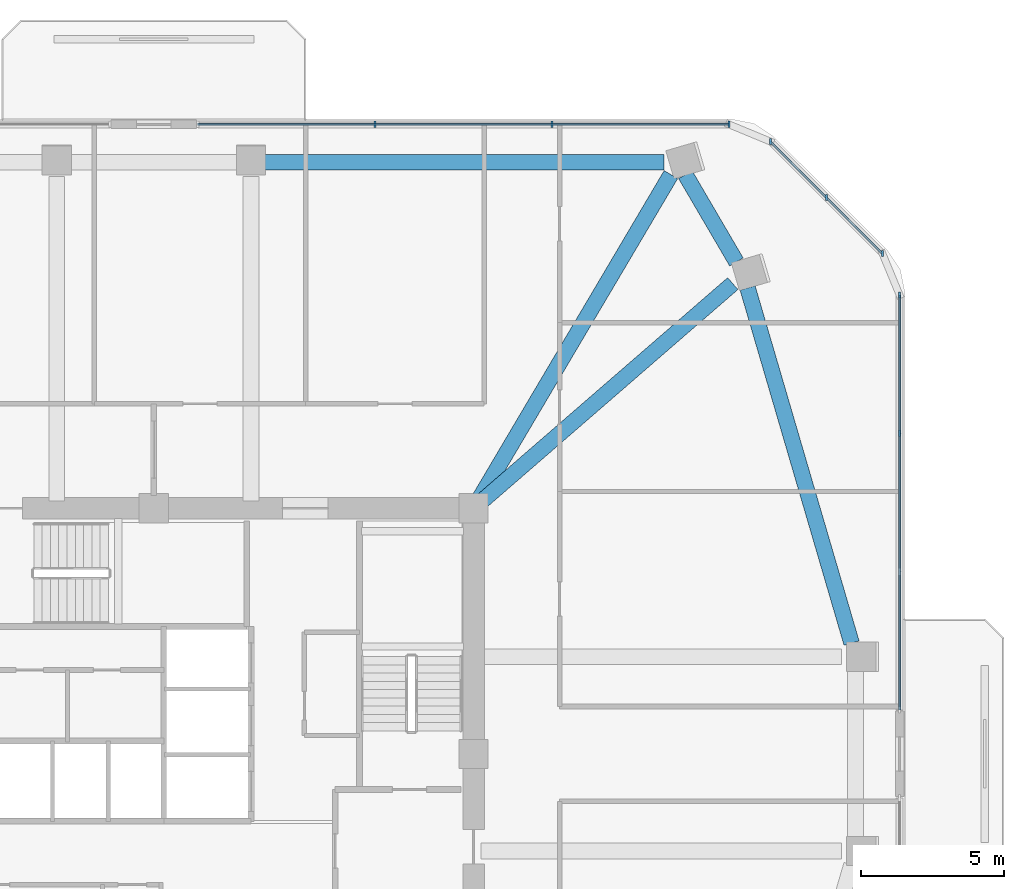
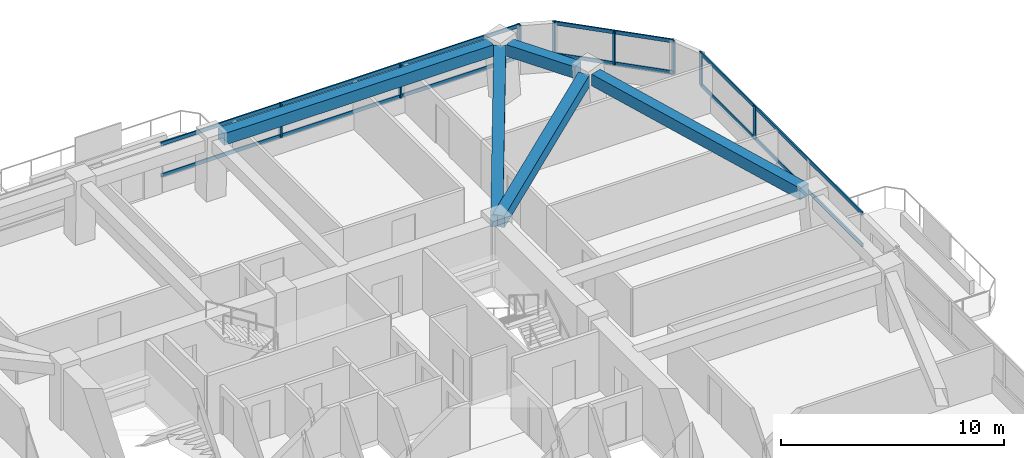
# One storey, part 7 of 14: 14 members, 5 beams, 3 elements without a shape of their own.
"""IFC4 building model written with IfcOpenShell, lengths in metres."""

from ifc_helpers import new_model, si_unit, derived_unit, direction, frame, origin, origin_2d, place, context, subcontext, project, spatial, rectangle, extrude, material, material_profile, profile_set, type_object, element, aggregate, save


model = new_model("IFC4")

# Units and contexts
model_context = context("Model", 3, precision=1e-05, world=origin(), true_north=direction((0.0, 1.0)))
body_context = subcontext(model_context, "Body", "Model", "MODEL_VIEW")
ifc_project = project(units=[si_unit("LENGTHUNIT", "METRE"), si_unit("AREAUNIT", "SQUARE_METRE"), si_unit("VOLUMEUNIT", "CUBIC_METRE"), si_unit("PLANEANGLEUNIT", "RADIAN"), si_unit("MASSUNIT", "GRAM", prefix="KILO"), derived_unit("THERMALTRANSMITTANCEUNIT", [(si_unit("POWERUNIT", "WATT"), 1), (si_unit("LENGTHUNIT", "METRE"), -2), (si_unit("THERMODYNAMICTEMPERATUREUNIT", "KELVIN"), -1)])], contexts=[model_context])

# Site, building, storey
site_placement = place(None, origin())
site = spatial("IfcSite", under=ifc_project, at=site_placement, CompositionType="ELEMENT")
building_placement = place(site_placement, origin())
building = spatial("IfcBuilding", under=site, at=building_placement, Name="Koralith Skygarden Medical Center", CompositionType="ELEMENT")
storey_placement = place(building_placement, frame((0.0, 0.0, 95.580078125)))
storey = spatial("IfcBuildingStorey", under=building, at=storey_placement, Name="L24", CompositionType="ELEMENT", Elevation=95.580078125)

# Curtain wall, members
ifc_material_1 = material(Name="Clear Laminated Glass", Category="glass")
curtain_wall_type = type_object("IfcCurtainWallType", Name="CW-3 Zone 2 Faceted Solar Curtain Wall", PredefinedType="NOTDEFINED", material=ifc_material_1)
curtain_wall_1_placement = place(storey_placement, origin())
curtain_wall_1 = element("IfcCurtainWall", 1, at=curtain_wall_1_placement, inside=storey, type_object=curtain_wall_type, Name="Curtain Wall CW-L24-E-R", PredefinedType="NOTDEFINED")
ifc_material_2 = material(Name="Aluminium 6063-T6", Category="aluminium")
ifc_material_profile_1 = material_profile(ifc_material_2, rectangle(XDim=0.073974609375, YDim=0.219970703125, at=origin_2d()), Name="MUL74X220")
ifc_profile_set_1 = profile_set([ifc_material_profile_1], Name="Aluminium 6063-T6")
member_type_1 = type_object("IfcMemberType", Name="CW-3 Extruded Mullion 74x220", PredefinedType="MULLION", material=ifc_profile_set_1)
member_1_placement = place(storey_placement, frame((63.114990234375, 37.125, 0.849853515625), z_axis=(0.0, 0.0, 1.0), x_axis=(1.0, 0.0, 0.0)))
member_1 = element("IfcMember", 2, at=member_1_placement, type_object=member_type_1, Name="CW-L24-E-R Mullion 3", PredefinedType="MULLION", context=body_context, shape_type="SweptSolid", body=[
    extrude(rectangle(XDim=0.073974609375, YDim=0.219970703125, at=origin_2d()), origin(), (0.0, 0.0, 1.0), 1.820068359375),
])
member_2_placement = place(storey_placement, frame((63.114990234375, 41.968017578125, 0.849853515625), z_axis=(0.0, 0.0, 1.0), x_axis=(1.0, 0.0, 0.0)))
member_2 = element("IfcMember", 3, at=member_2_placement, type_object=member_type_1, Name="CW-L24-E-R Mullion 4", PredefinedType="MULLION", context=body_context, shape_type="SweptSolid", body=[
    extrude(rectangle(XDim=0.073974609375, YDim=0.219970703125, at=origin_2d()), origin(), (0.0, 0.0, 1.0), 1.820068359375),
])

curtain_wall_2_placement = place(storey_placement, origin())
curtain_wall_2 = element("IfcCurtainWall", 4, at=curtain_wall_2_placement, inside=storey, type_object=curtain_wall_type, Name="Curtain Wall CW-L24-NE", PredefinedType="NOTDEFINED")
member_3_placement = place(storey_placement, frame((62.513916015625, 43.4189453125, 0.849853515625), z_axis=(0.0, 0.0, 1.0), x_axis=(1.0, 0.0, 0.0)))
member_3 = element("IfcMember", 5, at=member_3_placement, type_object=member_type_1, Name="CW-L24-NE Mullion 1", PredefinedType="MULLION", context=body_context, shape_type="SweptSolid", body=[
    extrude(rectangle(XDim=0.073974609375, YDim=0.219970703125, at=origin_2d()), origin(), (0.0, 0.0, 1.0), 1.820068359375),
])
member_4_placement = place(storey_placement, frame((60.552978515625, 45.3798828125, 0.849853515625), z_axis=(0.0, 0.0, 1.0), x_axis=(1.0, 0.0, 0.0)))
member_4 = element("IfcMember", 6, at=member_4_placement, type_object=member_type_1, Name="CW-L24-NE Mullion 2", PredefinedType="MULLION", context=body_context, shape_type="SweptSolid", body=[
    extrude(rectangle(XDim=0.073974609375, YDim=0.219970703125, at=origin_2d()), origin(), (0.0, 0.0, 1.0), 1.820068359375),
])
member_5_placement = place(storey_placement, frame((58.591064453125, 47.342041015625, 0.849853515625), z_axis=(0.0, 0.0, 1.0), x_axis=(1.0, 0.0, 0.0)))
member_5 = element("IfcMember", 7, at=member_5_placement, type_object=member_type_1, Name="CW-L24-NE Mullion 3", PredefinedType="MULLION", context=body_context, shape_type="SweptSolid", body=[
    extrude(rectangle(XDim=0.073974609375, YDim=0.219970703125, at=origin_2d()), origin(), (0.0, 0.0, 1.0), 1.820068359375),
])

curtain_wall_3_placement = place(storey_placement, origin())
curtain_wall_3 = element("IfcCurtainWall", 8, at=curtain_wall_3_placement, inside=storey, type_object=curtain_wall_type, Name="Curtain Wall CW-L24-N-L", PredefinedType="NOTDEFINED")
member_6_placement = place(storey_placement, frame((57.139892578125, 47.943115234375, 0.849853515625), z_axis=(0.0, 0.0, 1.0), x_axis=(1.0, 0.0, 0.0)))
member_6 = element("IfcMember", 9, at=member_6_placement, type_object=member_type_1, Name="CW-L24-N-L Mullion 1", PredefinedType="MULLION", context=body_context, shape_type="SweptSolid", body=[
    extrude(rectangle(XDim=0.073974609375, YDim=0.219970703125, at=origin_2d()), origin(), (0.0, 0.0, 1.0), 1.820068359375),
])
member_7_placement = place(storey_placement, frame((50.93994140625, 47.943115234375, 0.849853515625), z_axis=(0.0, 0.0, 1.0), x_axis=(1.0, 0.0, 0.0)))
member_7 = element("IfcMember", 10, at=member_7_placement, type_object=member_type_1, Name="CW-L24-N-L Mullion 2", PredefinedType="MULLION", context=body_context, shape_type="SweptSolid", body=[
    extrude(rectangle(XDim=0.073974609375, YDim=0.219970703125, at=origin_2d()), origin(), (0.0, 0.0, 1.0), 1.820068359375),
])
member_8_placement = place(storey_placement, frame((44.739990234375, 47.943115234375, 0.849853515625), z_axis=(0.0, 0.0, 1.0), x_axis=(1.0, 0.0, 0.0)))
member_8 = element("IfcMember", 11, at=member_8_placement, type_object=member_type_1, Name="CW-L24-N-L Mullion 3", PredefinedType="MULLION", context=body_context, shape_type="SweptSolid", body=[
    extrude(rectangle(XDim=0.073974609375, YDim=0.219970703125, at=origin_2d()), origin(), (0.0, 0.0, 1.0), 1.820068359375),
])

# Member
ifc_material_profile_2 = material_profile(ifc_material_2, rectangle(XDim=0.069091796875, YDim=0.197998046875, at=origin_2d()), Name="TRN69X198")
ifc_profile_set_2 = profile_set([ifc_material_profile_2], Name="Aluminium 6063-T6")
member_type_2 = type_object("IfcMemberType", Name="CW-3 Thermal Transom 69x198", PredefinedType="USERDEFINED", material=ifc_profile_set_2)
member_9_placement = place(storey_placement, frame((63.114990234375, 27.43896484375, 0.89990234375), z_axis=(0.0, 1.0, 0.0), x_axis=(-1.0, 0.0, 0.0)))
member_9 = element("IfcMember", 12, at=member_9_placement, type_object=member_type_2, Name="CW-L24-E-R Transom 1", ObjectType="TRANSOM", PredefinedType="USERDEFINED", context=body_context, shape_type="SweptSolid", body=[
    extrude(rectangle(XDim=0.069091796875, YDim=0.197998046875, at=origin_2d()), origin(), (0.0, 0.0, 1.0), 14.529052734375),
])

member_10_placement = place(storey_placement, frame((63.114990234375, 27.43896484375, 2.619873046875), z_axis=(0.0, 1.0, 0.0), x_axis=(-1.0, 0.0, 0.0)))
member_10 = element("IfcMember", 13, at=member_10_placement, type_object=member_type_2, Name="CW-L24-E-R Transom 2", ObjectType="TRANSOM", PredefinedType="USERDEFINED", context=body_context, shape_type="SweptSolid", body=[
    extrude(rectangle(XDim=0.069091796875, YDim=0.197998046875, at=origin_2d()), origin(), (0.0, 0.0, 1.0), 14.529052734375),
])

aggregate(curtain_wall_1, [member_1, member_2, member_9, member_10])

member_11_placement = place(storey_placement, frame((62.513916015625, 43.4189453125, 0.89990234375), z_axis=(-0.707084777957, 0.707128783731, 0.0), x_axis=(-0.707128783731, -0.707084777957, 0.0)))
member_11 = element("IfcMember", 14, at=member_11_placement, type_object=member_type_2, Name="CW-L24-NE Transom 1", ObjectType="TRANSOM", PredefinedType="USERDEFINED", context=body_context, shape_type="SweptSolid", body=[
    extrude(rectangle(XDim=0.069091796875, YDim=0.197998046875, at=origin_2d()), origin(), (0.0, 0.0, 1.0), 5.5478515625),
])

member_12_placement = place(storey_placement, frame((62.513916015625, 43.4189453125, 2.619873046875), z_axis=(-0.707084777957, 0.707128783731, 0.0), x_axis=(-0.707128783731, -0.707084777957, 0.0)))
member_12 = element("IfcMember", 15, at=member_12_placement, type_object=member_type_2, Name="CW-L24-NE Transom 2", ObjectType="TRANSOM", PredefinedType="USERDEFINED", context=body_context, shape_type="SweptSolid", body=[
    extrude(rectangle(XDim=0.069091796875, YDim=0.197998046875, at=origin_2d()), origin(), (0.0, 0.0, 1.0), 5.5478515625),
])

aggregate(curtain_wall_2, [member_3, member_4, member_5, member_11, member_12])

member_13_placement = place(storey_placement, frame((57.139892578125, 47.943115234375, 0.89990234375), z_axis=(-1.0, 0.0, 0.0), x_axis=(0.0, -1.0, 0.0)))
member_13 = element("IfcMember", 16, at=member_13_placement, type_object=member_type_2, Name="CW-L24-N-L Transom 1", ObjectType="TRANSOM", PredefinedType="USERDEFINED", context=body_context, shape_type="SweptSolid", body=[
    extrude(rectangle(XDim=0.069091796875, YDim=0.197998046875, at=origin_2d()), origin(), (0.0, 0.0, 1.0), 18.599853515625),
])

member_14_placement = place(storey_placement, frame((57.139892578125, 47.943115234375, 2.619873046875), z_axis=(-1.0, 0.0, 0.0), x_axis=(0.0, -1.0, 0.0)))
member_14 = element("IfcMember", 17, at=member_14_placement, type_object=member_type_2, Name="CW-L24-N-L Transom 2", ObjectType="TRANSOM", PredefinedType="USERDEFINED", context=body_context, shape_type="SweptSolid", body=[
    extrude(rectangle(XDim=0.069091796875, YDim=0.197998046875, at=origin_2d()), origin(), (0.0, 0.0, 1.0), 18.599853515625),
])

aggregate(curtain_wall_3, [member_6, member_7, member_8, member_13, member_14])

# Beams
ifc_material_3 = material(Name="Concrete C45/55", Category="concrete")
ifc_material_profile_3 = material_profile(ifc_material_3, rectangle(XDim=0.550048828125, YDim=0.639892578125, at=origin_2d()), Name="RCB550X640")
ifc_profile_set_3 = profile_set([ifc_material_profile_3], Name="Concrete C45/55")
beam_type_1 = type_object("IfcBeamType", Name="Radial Collector Beam RCB550X640", PredefinedType="BEAM", material=ifc_profile_set_3)
beam_1_placement = place(storey_placement, frame((48.388916015625, 34.6640625, 3.0), z_axis=(0.755617839439, 0.655012733251, 0.0), x_axis=(-0.655012733251, 0.755617839439, 0.0)))
element("IfcBeam", 18, at=beam_1_placement, inside=storey, type_object=beam_type_1, Name="L24 Radial Collector Beam RB-10", PredefinedType="BEAM", context=body_context, shape_type="SweptSolid", body=[
    extrude(rectangle(XDim=0.550048828125, YDim=0.639892578125, at=origin_2d()), origin(), (0.0, 0.0, 1.0), 11.760009765625),
])
beam_2_placement = place(storey_placement, frame((48.326904296875, 34.715087890625, 3.0), z_axis=(0.50889043558, 0.860831298557, 0.0), x_axis=(-0.860831298557, 0.50889043558, 0.0)))
element("IfcBeam", 19, at=beam_2_placement, inside=storey, type_object=beam_type_1, Name="L24 Radial Collector Beam RB-11", PredefinedType="BEAM", context=body_context, shape_type="SweptSolid", body=[
    extrude(rectangle(XDim=0.550048828125, YDim=0.639892578125, at=origin_2d()), origin(), (0.0, 0.0, 1.0), 13.3232421875),
])
ifc_material_profile_4 = material_profile(ifc_material_3, rectangle(XDim=0.550048828125, YDim=0.639892578125, at=origin_2d()), Name="RCB550X640")
ifc_profile_set_4 = profile_set([ifc_material_profile_4], Name="Concrete C45/55")
beam_type_2 = type_object("IfcBeamType", Name="Zone 2-3 Spandrel Beam RCB550X640", PredefinedType="SPANDREL", material=ifc_profile_set_4)
beam_3_placement = place(storey_placement, frame((61.43310546875, 29.780029296875, 3.0), z_axis=(-0.280962253951, 0.959718819163, 0.0), x_axis=(-0.959718819163, -0.280962253951, 0.0)))
element("IfcBeam", 20, at=beam_3_placement, inside=storey, type_object=beam_type_2, Name="L24 Perimeter Spandrel Beam SP-09", PredefinedType="SPANDREL", context=body_context, shape_type="SweptSolid", body=[
    extrude(rectangle(XDim=0.550048828125, YDim=0.639892578125, at=origin_2d()), origin(), (0.0, 0.0, 1.0), 12.9560546875),
])
beam_4_placement = place(storey_placement, frame((57.40087890625, 43.1259765625, 3.0), z_axis=(-0.504972499237, 0.863135432603, 0.0), x_axis=(-0.863135432603, -0.504972499237, 0.0)))
element("IfcBeam", 21, at=beam_4_placement, inside=storey, type_object=beam_type_2, Name="L24 Perimeter Spandrel Beam SP-10", PredefinedType="SPANDREL", context=body_context, shape_type="SweptSolid", body=[
    extrude(rectangle(XDim=0.550048828125, YDim=0.639892578125, at=origin_2d()), origin(), (0.0, 0.0, 1.0), 3.54052734375),
])
beam_5_placement = place(storey_placement, frame((54.861083984375, 46.614013671875, 3.0), z_axis=(-1.0, 0.0, 0.0), x_axis=(0.0, -1.0, 0.0)))
element("IfcBeam", 22, at=beam_5_placement, inside=storey, type_object=beam_type_2, Name="L24 Perimeter Spandrel Beam SP-11", PredefinedType="SPANDREL", context=body_context, shape_type="SweptSolid", body=[
    extrude(rectangle(XDim=0.550048828125, YDim=0.639892578125, at=origin_2d()), origin(), (0.0, 0.0, 1.0), 13.961181640625),
])

save(model, "model.ifc")
